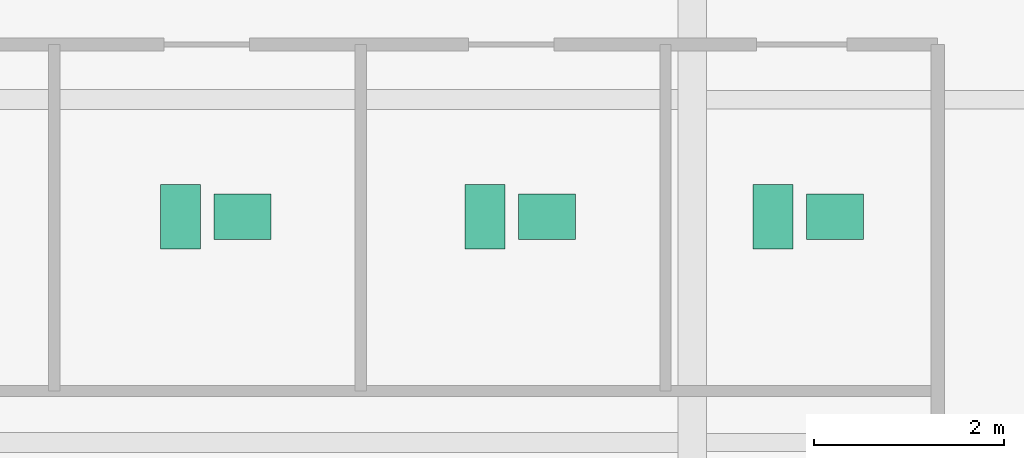
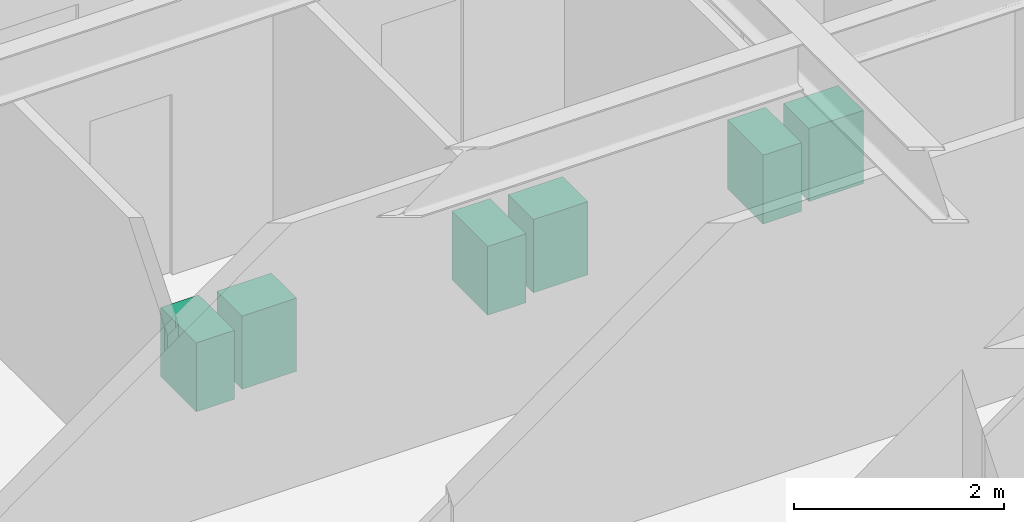
# One storey, part 28 of 28: 6 sanitary terminals.
"""IFC4 building model written with IfcOpenShell, lengths in metres."""

from ifc_helpers import new_model, si_unit, direction, frame, origin, origin_2d, place, context, subcontext, project, spatial, rectangle, extrude, source, transform, mapped, material, type_object, type_shapes, element, save


model = new_model("IFC4")

# Units and contexts
model_context = context("Model", 3, precision=1e-05, world=origin(), true_north=direction((0.0, 1.0)))
body_context = subcontext(model_context, "Body", "Model", "MODEL_VIEW")
ifc_project = project(units=[si_unit("LENGTHUNIT", "METRE"), si_unit("AREAUNIT", "SQUARE_METRE"), si_unit("VOLUMEUNIT", "CUBIC_METRE"), si_unit("PLANEANGLEUNIT", "RADIAN"), si_unit("MASSUNIT", "GRAM", prefix="KILO")], contexts=[model_context])

# Site, building, storey
site_placement = place(None, origin())
site = spatial("IfcSite", under=ifc_project, at=site_placement, CompositionType="ELEMENT")
building_placement = place(site_placement, origin())
building = spatial("IfcBuilding", under=site, at=building_placement, Name="Krantzveldt Concourse Tower", CompositionType="ELEMENT")
storey_placement = place(building_placement, frame((0.0, 0.0, 64.5)))
storey = spatial("IfcBuildingStorey", under=building, at=storey_placement, Name="L15", CompositionType="ELEMENT", Elevation=64.5)

# Sanitary terminals
ifc_material = material(Name="Vitreous china", Category="ceramic")
sanitary_terminal_type_1 = type_object("IfcSanitaryTerminalType", Name="SAN-WC-SUITE", PredefinedType="TOILETPAN", material=ifc_material)
shared_shape_1 = source(origin(), body_context, "Body", "SweptSolid", [
    extrude(rectangle(XDim=0.419921875, YDim=0.679931640625, at=origin_2d()), origin(), (0.0, 0.0, 1.0), 0.800048828125),
])
type_shapes(sanitary_terminal_type_1, [shared_shape_1])
for number, where, z_axis, x_axis, name in (
    (1, (36.02490234375, 32.570068359375, 0.0), (0.0, 0.0, 1.0), (1.0, 0.0, 0.0), "WC-SP-L15-WCM"),
    (2, (39.22509765625, 32.570068359375, 0.0), (0.0, 0.0, 1.0), (1.0, 0.0, 0.0), "WC-SP-L15-WCF"),
    (3, (42.25, 32.570068359375, 0.0), (0.0, 0.0, 1.0), (1.0, 0.0, 0.0), "WC-SP-L15-WCA"),
):
    element("IfcSanitaryTerminal", number, at=place(storey_placement, frame(where, z_axis=z_axis, x_axis=x_axis)), inside=storey, type_object=sanitary_terminal_type_1, Name=name, PredefinedType="TOILETPAN", context=body_context, shape_type="MappedRepresentation", body=[
        mapped(shared_shape_1, transform((0.0, 0.0, 0.0), x_axis=(1.0, 0.0, 0.0), y_axis=(0.0, 1.0, 0.0), z_axis=(0.0, 0.0, 1.0), scale=1.0)),
    ])
sanitary_terminal_type_2 = type_object("IfcSanitaryTerminalType", Name="SAN-BASIN-600", PredefinedType="WASHHANDBASIN", material=ifc_material)
shared_shape_2 = source(origin(), body_context, "Body", "SweptSolid", [
    extrude(rectangle(XDim=0.60009765625, YDim=0.47998046875, at=origin_2d()), origin(), (0.0, 0.0, 1.0), 0.85009765625),
])
type_shapes(sanitary_terminal_type_2, [shared_shape_2])
for number, where, z_axis, x_axis, name in (
    (4, (36.675048828125, 32.570068359375, 0.0048828125), (0.0, 0.0, 1.0), (1.0, 0.0, 0.0), "BSN-SP-L15-WCM"),
    (5, (39.875, 32.570068359375, 0.0048828125), (0.0, 0.0, 1.0), (1.0, 0.0, 0.0), "BSN-SP-L15-WCF"),
    (6, (42.89990234375, 32.570068359375, 0.0048828125), (0.0, 0.0, 1.0), (1.0, 0.0, 0.0), "BSN-SP-L15-WCA"),
):
    element("IfcSanitaryTerminal", number, at=place(storey_placement, frame(where, z_axis=z_axis, x_axis=x_axis)), inside=storey, type_object=sanitary_terminal_type_2, Name=name, PredefinedType="WASHHANDBASIN", context=body_context, shape_type="MappedRepresentation", body=[
        mapped(shared_shape_2, transform((0.0, 0.0, 0.0), x_axis=(1.0, 0.0, 0.0), y_axis=(0.0, 1.0, 0.0), z_axis=(0.0, 0.0, 1.0), scale=1.0)),
    ])

save(model, "model.ifc")
